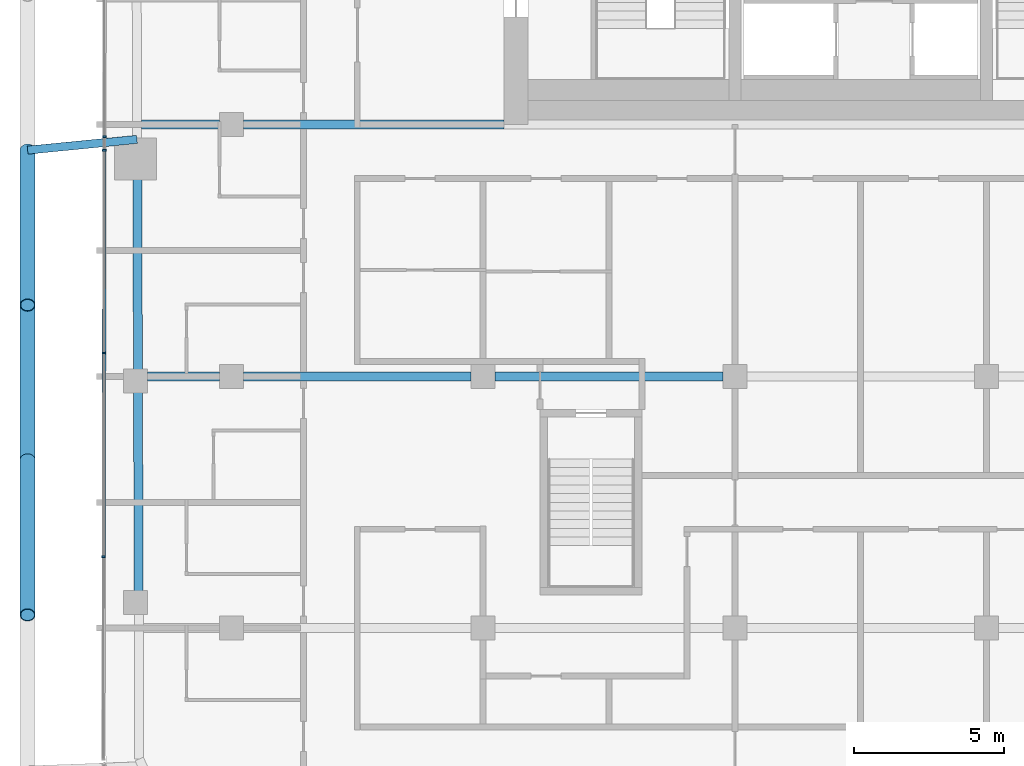
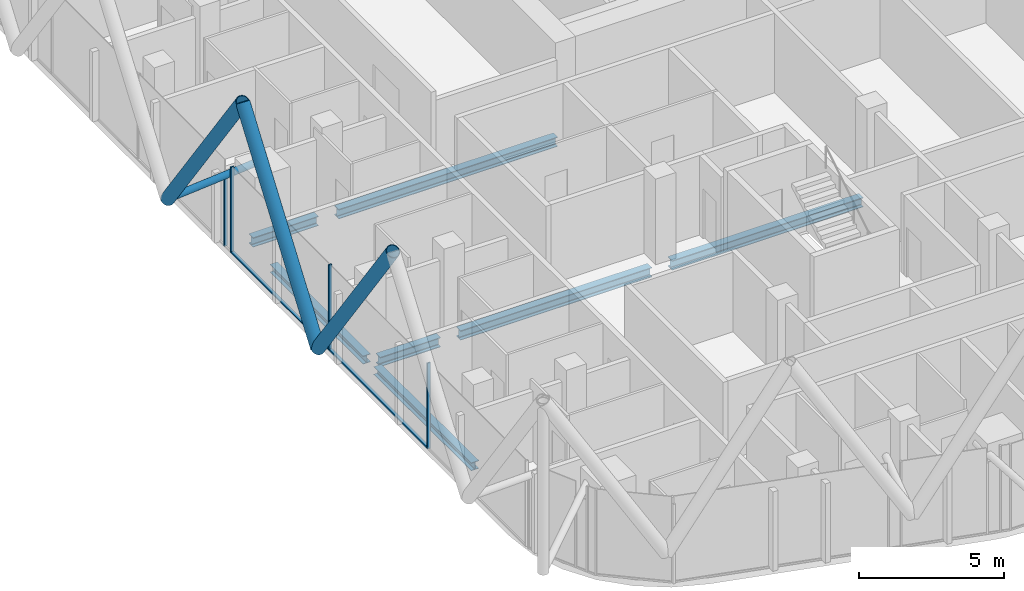
# One storey, part 4 of 31: 10 members, 7 beams, 2 elements without a shape of their own.
"""IFC4 building model written with IfcOpenShell, lengths in metres."""

from ifc_helpers import new_model, si_unit, direction, frame, origin, origin_2d, place, context, subcontext, project, spatial, rectangle, hollow_circle, i_section, extrude, material, layer, layer_set, material_profile, profile_set, type_object, element, aggregate, save


model = new_model("IFC4")

# Units and contexts
model_context = context("Model", 3, precision=1e-05, world=origin(), true_north=direction((0.0, 1.0)))
body_context = subcontext(model_context, "Body", "Model", "MODEL_VIEW")
ifc_project = project(units=[si_unit("LENGTHUNIT", "METRE"), si_unit("AREAUNIT", "SQUARE_METRE"), si_unit("VOLUMEUNIT", "CUBIC_METRE"), si_unit("PLANEANGLEUNIT", "RADIAN"), si_unit("MASSUNIT", "GRAM", prefix="KILO")], contexts=[model_context])

# Site, building, storey
site_placement = place(None, origin())
site = spatial("IfcSite", under=ifc_project, at=site_placement, CompositionType="ELEMENT")
building_placement = place(site_placement, origin())
building = spatial("IfcBuilding", under=site, at=building_placement, Name="Marenta Gate Hotel Tower", CompositionType="ELEMENT")
storey_placement = place(building_placement, frame((0.0, 0.0, 191.300048828125)))
storey = spatial("IfcBuildingStorey", under=building, at=storey_placement, Name="L43", CompositionType="ELEMENT", Elevation=191.300048828125)

# Members
ifc_material_1 = material(Name="Steel S355J2W", Category="steel")
ifc_material_profile_1 = material_profile(ifc_material_1, hollow_circle(Radius=0.25390625, WallThickness=0.02490234375, at=origin_2d()), Name="CHS 508x25")
ifc_profile_set_1 = profile_set([ifc_material_profile_1], Name="Steel S355J2W")
member_type_1 = type_object("IfcMemberType", Name="Diagrid diagonal Z3 CHS 508x25", PredefinedType="BRACE", material=ifc_profile_set_1)
member_1_placement = place(storey_placement, frame((-27.800048828125, -11.190185546875, 3.139892578125), z_axis=(0.0, -0.583260841117, 0.812284919975), x_axis=(1.0, 0.0, 0.0)))
element("IfcMember", 1, at=member_1_placement, inside=storey, type_object=member_type_1, Name="L43-DG-27", PredefinedType="BRACE", context=body_context, shape_type="SweptSolid", body=[
    extrude(hollow_circle(Radius=0.25390625, WallThickness=0.02490234375, at=origin_2d()), origin(), (0.0, 0.0, 1.0), 8.86376953125),
])
member_2_placement = place(storey_placement, frame((-27.800048828125, -11.190185546875, 3.139892578125), z_axis=(0.0, 0.583279014058, 0.812271870595), x_axis=(-1.0, 0.0, 0.0)))
element("IfcMember", 2, at=member_2_placement, inside=storey, type_object=member_type_1, Name="L43-DG-28", PredefinedType="BRACE", context=body_context, shape_type="SweptSolid", body=[
    extrude(hollow_circle(Radius=0.25390625, WallThickness=0.02490234375, at=origin_2d()), origin(), (0.0, 0.0, 1.0), 8.864013671875),
])
member_3_placement = place(storey_placement, frame((-27.800048828125, -0.85009765625, 3.139892578125), z_axis=(0.0, -0.583260841117, 0.812284919975), x_axis=(1.0, 0.0, 0.0)))
element("IfcMember", 3, at=member_3_placement, inside=storey, type_object=member_type_1, Name="L43-DG-29", PredefinedType="BRACE", context=body_context, shape_type="SweptSolid", body=[
    extrude(hollow_circle(Radius=0.25390625, WallThickness=0.02490234375, at=origin_2d()), origin(), (0.0, 0.0, 1.0), 8.86376953125),
])

# Beams
ifc_material_2 = material(Name="Steel S355", Category="steel")
ifc_material_profile_2 = material_profile(ifc_material_2, i_section(OverallWidth=0.300048828125, OverallDepth=0.340087890625, WebThickness=0.011962890625, FlangeThickness=0.021484375, FilletRadius=0.027099609375, at=origin_2d()), Name="HEB 340")
ifc_profile_set_2 = profile_set([ifc_material_profile_2], Name="Steel S355")
beam_type_1 = type_object("IfcBeamType", Name="Edge beam HEB 340", PredefinedType="SPANDREL", material=ifc_profile_set_2)
beam_1_placement = place(storey_placement, frame((-24.09375, -15.591796875, -0.429931640625), z_axis=(-0.00332539729, 0.999994470851, 0.0), x_axis=(-0.999994470851, -0.00332539729, 0.0)))
element("IfcBeam", 4, at=beam_1_placement, inside=storey, type_object=beam_type_1, Name="L43-EB-6", PredefinedType="SPANDREL", context=body_context, shape_type="SweptSolid", body=[
    extrude(i_section(OverallWidth=0.300048828125, OverallDepth=0.340087890625, WebThickness=0.011962890625, FlangeThickness=0.021484375, FilletRadius=0.027099609375, at=origin_2d()), origin(), (0.0, 0.0, 1.0), 6.680908203125),
])
beam_2_placement = place(storey_placement, frame((-24.118408203125, -8.19091796875, -0.429931640625), z_axis=(-0.003328723523, 0.999994459785, 0.0), x_axis=(-0.999994459785, -0.003328723523, 0.0)))
element("IfcBeam", 5, at=beam_2_placement, inside=storey, type_object=beam_type_1, Name="L43-EB-7", PredefinedType="SPANDREL", context=body_context, shape_type="SweptSolid", body=[
    extrude(i_section(OverallWidth=0.300048828125, OverallDepth=0.340087890625, WebThickness=0.011962890625, FlangeThickness=0.021484375, FilletRadius=0.027099609375, at=origin_2d()), origin(), (0.0, 0.0, 1.0), 6.380859375),
])

# Member
ifc_material_3 = material(Name="Steel S355J2W", Category="steel")
ifc_material_profile_3 = material_profile(ifc_material_3, hollow_circle(Radius=0.136474609375, WallThickness=0.012451171875, at=origin_2d()), Name="CHS 273x12.5")
ifc_profile_set_3 = profile_set([ifc_material_profile_3], Name="Steel S355J2W")
member_type_2 = type_object("IfcMemberType", Name="Floor tie CHS 273x12.5", PredefinedType="STRUT", material=ifc_profile_set_3)
member_4_placement = place(storey_placement, frame((-27.800048828125, -0.85009765625, 3.139892578125), z_axis=(0.995181771772, 0.098047137303, 0.0), x_axis=(-0.098047137303, 0.995181771772, 0.0)))
element("IfcMember", 6, at=member_4_placement, inside=storey, type_object=member_type_2, Name="L43-DR-20", PredefinedType="STRUT", context=body_context, shape_type="SweptSolid", body=[
    extrude(hollow_circle(Radius=0.136474609375, WallThickness=0.012451171875, at=origin_2d()), origin(), (0.0, 0.0, 1.0), 3.667724609375),
])

# Beams
ifc_material_4 = material(Name="Steel S355", Category="steel")
ifc_material_profile_4 = material_profile(ifc_material_4, i_section(OverallWidth=0.300048828125, OverallDepth=0.39990234375, WebThickness=0.013427734375, FlangeThickness=0.02392578125, FilletRadius=0.027099609375, at=origin_2d()), Name="HEB 400")
ifc_profile_set_4 = profile_set([ifc_material_profile_4], Name="Steel S355")
beam_type_2 = type_object("IfcBeamType", Name="Girder HEB 400", PredefinedType="BEAM", material=ifc_profile_set_4)
beam_3_placement = place(storey_placement, frame((-23.800048828125, -8.39990234375, -0.4599609375), z_axis=(1.0, 0.0, 0.0), x_axis=(0.0, 1.0, 0.0)))
element("IfcBeam", 7, at=beam_3_placement, inside=storey, type_object=beam_type_2, Name="L43-GD-13", PredefinedType="BEAM", context=body_context, shape_type="SweptSolid", body=[
    extrude(i_section(OverallWidth=0.300048828125, OverallDepth=0.39990234375, WebThickness=0.013427734375, FlangeThickness=0.02392578125, FilletRadius=0.027099609375, at=origin_2d()), origin(), (0.0, 0.0, 1.0), 2.400146484375),
])
beam_4_placement = place(storey_placement, frame((-20.60009765625, -8.39990234375, -0.4599609375), z_axis=(1.0, 0.0, 0.0), x_axis=(0.0, 1.0, 0.0)))
element("IfcBeam", 8, at=beam_4_placement, inside=storey, type_object=beam_type_2, Name="L43-GD-14", PredefinedType="BEAM", context=body_context, shape_type="SweptSolid", body=[
    extrude(i_section(OverallWidth=0.300048828125, OverallDepth=0.39990234375, WebThickness=0.013427734375, FlangeThickness=0.02392578125, FilletRadius=0.027099609375, at=origin_2d()), origin(), (0.0, 0.0, 1.0), 7.60009765625),
])
beam_5_placement = place(storey_placement, frame((-12.199951171875, -8.39990234375, -0.4599609375), z_axis=(1.0, 0.0, 0.0), x_axis=(0.0, 1.0, 0.0)))
element("IfcBeam", 9, at=beam_5_placement, inside=storey, type_object=beam_type_2, Name="L43-GD-15", PredefinedType="BEAM", context=body_context, shape_type="SweptSolid", body=[
    extrude(i_section(OverallWidth=0.300048828125, OverallDepth=0.39990234375, WebThickness=0.013427734375, FlangeThickness=0.02392578125, FilletRadius=0.027099609375, at=origin_2d()), origin(), (0.0, 0.0, 1.0), 7.599853515625),
])
beam_6_placement = place(storey_placement, frame((-23.99560546875, 0.0, -0.4599609375), z_axis=(1.0, 0.0, 0.0), x_axis=(0.0, 1.0, 0.0)))
element("IfcBeam", 10, at=beam_6_placement, inside=storey, type_object=beam_type_2, Name="L43-GD-20", PredefinedType="BEAM", context=body_context, shape_type="SweptSolid", body=[
    extrude(i_section(OverallWidth=0.300048828125, OverallDepth=0.39990234375, WebThickness=0.013427734375, FlangeThickness=0.02392578125, FilletRadius=0.027099609375, at=origin_2d()), origin(), (0.0, 0.0, 1.0), 2.595703125),
])
beam_7_placement = place(storey_placement, frame((-20.60009765625, 0.0, -0.4599609375), z_axis=(1.0, 0.0, 0.0), x_axis=(0.0, 1.0, 0.0)))
element("IfcBeam", 11, at=beam_7_placement, inside=storey, type_object=beam_type_2, Name="L43-GD-21", PredefinedType="BEAM", context=body_context, shape_type="SweptSolid", body=[
    extrude(i_section(OverallWidth=0.300048828125, OverallDepth=0.39990234375, WebThickness=0.013427734375, FlangeThickness=0.02392578125, FilletRadius=0.027099609375, at=origin_2d()), origin(), (0.0, 0.0, 1.0), 8.7001953125),
])

# Curtain wall, member
ifc_material_5 = material(Name="Tinted insulated glass in bronze anodised frame", Category="glass")
ifc_layer = layer(ifc_material_5, 0.1201171875)
ifc_layer_set = layer_set([ifc_layer], Name="Tinted insulated glass in bronze anodised frame")
curtain_wall_type = type_object("IfcCurtainWallType", Name="Tower unitised curtain wall CW1", PredefinedType="NOTDEFINED", material=ifc_layer_set)
curtain_wall_1_placement = place(storey_placement, origin())
curtain_wall_1 = element("IfcCurtainWall", 12, at=curtain_wall_1_placement, inside=storey, type_object=curtain_wall_type, Name="CW1 run G07", PredefinedType="NOTDEFINED")
ifc_material_6 = material(Name="Bronze anodised aluminium", Category="aluminium")
ifc_material_profile_5 = material_profile(ifc_material_6, rectangle(XDim=0.1201171875, YDim=0.06005859375, at=origin_2d()), Name="Mullion CW1 60x120 bronze anodised aluminium")
ifc_profile_set_5 = profile_set([ifc_material_profile_5], Name="Bronze anodised aluminium")
member_type_3 = type_object("IfcMemberType", Name="Mullion CW1 60x120 bronze anodised aluminium", PredefinedType="MULLION", material=ifc_profile_set_5)
member_5_placement = place(storey_placement, frame((-25.240234375, -0.400390625, 0.0), z_axis=(0.0, 0.0, 1.0), x_axis=(0.99999881761, -0.001537783778, 0.0)))
member_5 = element("IfcMember", 13, at=member_5_placement, type_object=member_type_3, Name="CW1 mullion 1", PredefinedType="MULLION", context=body_context, shape_type="SweptSolid", body=[
    extrude(rectangle(XDim=0.1201171875, YDim=0.06005859375, at=origin_2d()), origin(), (0.0, 0.0, 1.0), 3.00048828125),
])
aggregate(curtain_wall_1, [member_5])

# Curtain wall, members
curtain_wall_2_placement = place(storey_placement, origin())
curtain_wall_2 = element("IfcCurtainWall", 14, at=curtain_wall_2_placement, inside=storey, type_object=curtain_wall_type, Name="CW1 run G08", PredefinedType="NOTDEFINED")
member_6_placement = place(storey_placement, frame((-25.240966796875, -0.855712890625, 0.0), z_axis=(0.0, 0.0, 1.0), x_axis=(0.999998775932, -0.001564651623, 0.0)))
member_6 = element("IfcMember", 15, at=member_6_placement, type_object=member_type_3, Name="CW1 mullion 1", PredefinedType="MULLION", context=body_context, shape_type="SweptSolid", body=[
    extrude(rectangle(XDim=0.1201171875, YDim=0.06005859375, at=origin_2d()), origin(), (0.0, 0.0, 1.0), 3.599853515625),
])
member_7_placement = place(storey_placement, frame((-25.251708984375, -7.62158203125, 0.0), z_axis=(0.0, 0.0, 1.0), x_axis=(0.999998775932, -0.001564651623, 0.0)))
member_7 = element("IfcMember", 16, at=member_7_placement, type_object=member_type_3, Name="CW1 mullion 2", PredefinedType="MULLION", context=body_context, shape_type="SweptSolid", body=[
    extrude(rectangle(XDim=0.1201171875, YDim=0.06005859375, at=origin_2d()), origin(), (0.0, 0.0, 1.0), 3.599853515625),
])
member_8_placement = place(storey_placement, frame((-25.26220703125, -14.41748046875, 0.0), z_axis=(0.0, 0.0, 1.0), x_axis=(0.999998775932, -0.001564651623, 0.0)))
member_8 = element("IfcMember", 17, at=member_8_placement, type_object=member_type_3, Name="CW1 mullion 3", PredefinedType="MULLION", context=body_context, shape_type="SweptSolid", body=[
    extrude(rectangle(XDim=0.1201171875, YDim=0.06005859375, at=origin_2d()), origin(), (0.0, 0.0, 1.0), 3.599853515625),
])
ifc_material_7 = material(Name="Bronze anodised aluminium", Category="aluminium")
ifc_material_profile_6 = material_profile(ifc_material_7, rectangle(XDim=0.1201171875, YDim=0.06005859375, at=origin_2d()), Name="Transom CW1 60x120 bronze anodised aluminium")
ifc_profile_set_6 = profile_set([ifc_material_profile_6], Name="Bronze anodised aluminium")
member_type_4 = type_object("IfcMemberType", Name="Transom CW1 60x120 bronze anodised aluminium", PredefinedType="USERDEFINED", material=ifc_profile_set_6)
member_9_placement = place(storey_placement, frame((-25.2412109375, -0.885498046875, 0.030029296875), z_axis=(-0.0015290502, -0.999998831002, 0.0), x_axis=(0.999998831002, -0.0015290502, 0.0)))
member_9 = element("IfcMember", 18, at=member_9_placement, type_object=member_type_4, Name="CW1 transom 1.1", ObjectType="TRANSOM", PredefinedType="USERDEFINED", context=body_context, shape_type="SweptSolid", body=[
    extrude(rectangle(XDim=0.1201171875, YDim=0.06005859375, at=origin_2d()), origin(), (0.0, 0.0, 1.0), 6.7060546875),
])
member_10_placement = place(storey_placement, frame((-25.251708984375, -7.651611328125, 0.030029296875), z_axis=(-0.001558533808, -0.999998785485, 0.0), x_axis=(0.999998785485, -0.001558533808, 0.0)))
member_10 = element("IfcMember", 19, at=member_10_placement, type_object=member_type_4, Name="CW1 transom 2.1", ObjectType="TRANSOM", PredefinedType="USERDEFINED", context=body_context, shape_type="SweptSolid", body=[
    extrude(rectangle(XDim=0.1201171875, YDim=0.06005859375, at=origin_2d()), origin(), (0.0, 0.0, 1.0), 6.73583984375),
])
aggregate(curtain_wall_2, [member_6, member_7, member_8, member_9, member_10])

save(model, "model.ifc")
